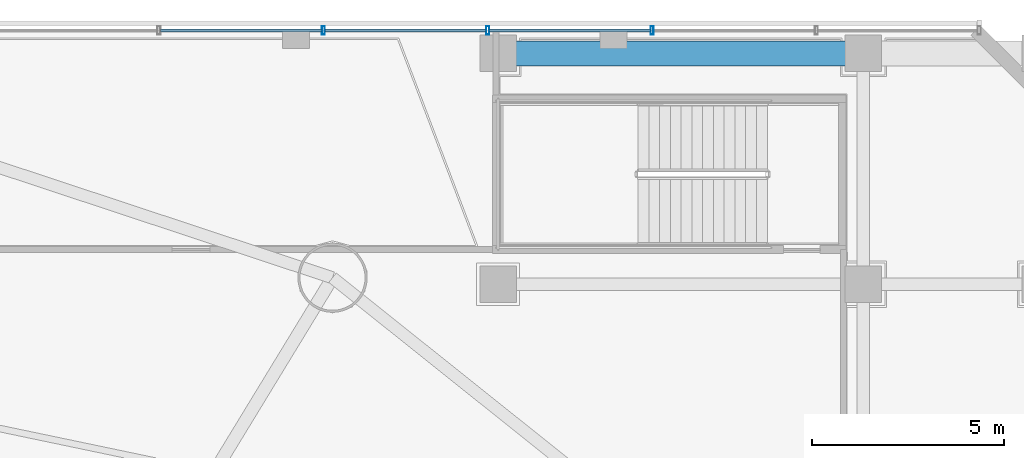
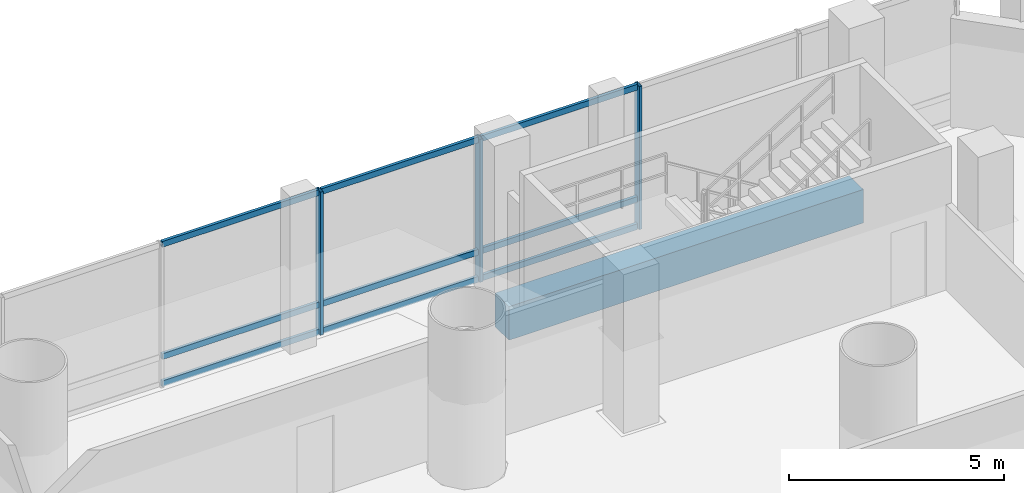
# One storey, part 15 of 36: 12 members, 1 beam, 1 element without a shape of its own.
"""IFC4 building model written with IfcOpenShell, lengths in metres."""

from ifc_helpers import new_model, si_unit, direction, frame, origin, origin_2d, place, context, subcontext, project, spatial, rectangle, hollow_rectangle, extrude, source, transform, mapped, material, material_profile, profile_set, type_object, element, aggregate, save


model = new_model("IFC4")

# Units and contexts
model_context = context("Model", 3, precision=1e-05, world=origin(), true_north=direction((-0.2419218956, 0.970295726276)))
body_context = subcontext(model_context, "Body", "Model", "MODEL_VIEW")
ifc_project = project(units=[si_unit("LENGTHUNIT", "METRE"), si_unit("AREAUNIT", "SQUARE_METRE"), si_unit("VOLUMEUNIT", "CUBIC_METRE"), si_unit("PLANEANGLEUNIT", "RADIAN"), si_unit("MASSUNIT", "GRAM", prefix="KILO")], contexts=[model_context])

# Site, building, storey
site_placement = place(None, origin())
site = spatial("IfcSite", under=ifc_project, at=site_placement, CompositionType="ELEMENT")
building_placement = place(site_placement, origin())
building = spatial("IfcBuilding", under=site, at=building_placement, Name="Cobrevalo Terracotta Tower", CompositionType="ELEMENT")
storey_placement = place(building_placement, frame((0.0, 0.0, 14.39990234375)))
storey = spatial("IfcBuildingStorey", under=building, at=storey_placement, Name="L03", CompositionType="ELEMENT", Elevation=14.39990234375)

# Beam
ifc_material_1 = material(Name="Concrete C50", Category="concrete")
ifc_material_profile_1 = material_profile(ifc_material_1, rectangle(XDim=0.64990234375, YDim=0.949951171875, at=origin_2d()), Name="RC BM 650x950")
ifc_profile_set_1 = profile_set([ifc_material_profile_1], Name="Concrete C50")
beam_type = type_object("IfcBeamType", Name="Structural Spandrel RC BM 650x950 (Concrete C50)", PredefinedType="SPANDREL", material=ifc_profile_set_1)
beam_placement = place(storey_placement, frame((57.5, 50.800048828125, -0.77490234375), z_axis=(1.0, 0.0, 0.0), x_axis=(0.0, 1.0, 0.0)))
element("IfcBeam", 1, at=beam_placement, inside=storey, type_object=beam_type, Name="L03 podium grid beam G7-GG to G8-GG", PredefinedType="SPANDREL", context=body_context, shape_type="SweptSolid", body=[
    extrude(rectangle(XDim=0.64990234375, YDim=0.949951171875, at=origin_2d()), origin(), (0.0, 0.0, 1.0), 9.5),
])

# Curtain wall, members
ifc_material_2 = material(Name="Anodized aluminium", Category="aluminium")
curtain_wall_type = type_object("IfcCurtainWallType", Name="Podium gallery & conservatory curtain wall CW-S2", PredefinedType="NOTDEFINED", material=ifc_material_2)
curtain_wall_placement = place(storey_placement, origin())
curtain_wall = element("IfcCurtainWall", 2, at=curtain_wall_placement, inside=storey, type_object=curtain_wall_type, Name="L03 curtain wall CW-POD-L03-N", PredefinedType="NOTDEFINED")
ifc_material_profile_2 = material_profile(ifc_material_2, hollow_rectangle(XDim=0.080078125, YDim=0.1650390625, WallThickness=0.00439453125, at=origin_2d()), Name="CWT 80x165")
ifc_profile_set_2 = profile_set([ifc_material_profile_2], Name="Anodized aluminium")
member_type_1 = type_object("IfcMemberType", Name="Storefront & atrium aluminium transom 80x165", PredefinedType="USERDEFINED", material=ifc_profile_set_2)
shared_shape_1 = source(origin(), body_context, "Body", "SweptSolid", [
    extrude(hollow_rectangle(XDim=0.080078125, YDim=0.1650390625, WallThickness=0.00439453125, at=origin_2d()), origin(), (0.0, 0.0, 1.0), 4.193359375),
])
member_1_placement = place(storey_placement, frame((61.46337890625, 51.39990234375, 0.050048828125), z_axis=(-1.0, 0.0, 0.0), x_axis=(0.0, -1.0, 0.0)))
member_1 = element("IfcMember", 3, at=member_1_placement, type_object=member_type_1, Name="CW-POD-L03-N transom B03-T1", ObjectType="TRANSOM", PredefinedType="USERDEFINED", context=body_context, shape_type="MappedRepresentation", body=[
    mapped(shared_shape_1, transform((0.0, 0.0, 0.0), scale=1.0)),
])
member_2_placement = place(storey_placement, frame((61.46337890625, 51.39990234375, 0.820068359375), z_axis=(-1.0, 0.0, 0.0), x_axis=(0.0, -1.0, 0.0)))
member_2 = element("IfcMember", 4, at=member_2_placement, type_object=member_type_1, Name="CW-POD-L03-N transom B03-T2", ObjectType="TRANSOM", PredefinedType="USERDEFINED", context=body_context, shape_type="MappedRepresentation", body=[
    mapped(shared_shape_1, transform((0.0, 0.0, 0.0), scale=1.0)),
])
member_3_placement = place(storey_placement, frame((61.46337890625, 51.39990234375, 4.0), z_axis=(-1.0, 0.0, 0.0), x_axis=(0.0, -1.0, 0.0)))
member_3 = element("IfcMember", 5, at=member_3_placement, type_object=member_type_1, Name="CW-POD-L03-N transom B03-T3", ObjectType="TRANSOM", PredefinedType="USERDEFINED", context=body_context, shape_type="MappedRepresentation", body=[
    mapped(shared_shape_1, transform((0.0, 0.0, 0.0), scale=1.0)),
])
member_4_placement = place(storey_placement, frame((57.18994140625, 51.39990234375, 0.050048828125), z_axis=(-1.0, 0.0, 0.0), x_axis=(0.0, -1.0, 0.0)))
member_4 = element("IfcMember", 6, at=member_4_placement, type_object=member_type_1, Name="CW-POD-L03-N transom B04-T1", ObjectType="TRANSOM", PredefinedType="USERDEFINED", context=body_context, shape_type="MappedRepresentation", body=[
    mapped(shared_shape_1, transform((0.0, 0.0, 0.0), scale=1.0)),
])
member_5_placement = place(storey_placement, frame((57.18994140625, 51.39990234375, 0.820068359375), z_axis=(-1.0, 0.0, 0.0), x_axis=(0.0, -1.0, 0.0)))
member_5 = element("IfcMember", 7, at=member_5_placement, type_object=member_type_1, Name="CW-POD-L03-N transom B04-T2", ObjectType="TRANSOM", PredefinedType="USERDEFINED", context=body_context, shape_type="MappedRepresentation", body=[
    mapped(shared_shape_1, transform((0.0, 0.0, 0.0), scale=1.0)),
])
member_6_placement = place(storey_placement, frame((57.18994140625, 51.39990234375, 4.0), z_axis=(-1.0, 0.0, 0.0), x_axis=(0.0, -1.0, 0.0)))
member_6 = element("IfcMember", 8, at=member_6_placement, type_object=member_type_1, Name="CW-POD-L03-N transom B04-T3", ObjectType="TRANSOM", PredefinedType="USERDEFINED", context=body_context, shape_type="MappedRepresentation", body=[
    mapped(shared_shape_1, transform((0.0, 0.0, 0.0), scale=1.0)),
])
member_7_placement = place(storey_placement, frame((52.916748046875, 51.39990234375, 0.050048828125), z_axis=(-1.0, 0.0, 0.0), x_axis=(0.0, -1.0, 0.0)))
member_7 = element("IfcMember", 9, at=member_7_placement, type_object=member_type_1, Name="CW-POD-L03-N transom B05-T1", ObjectType="TRANSOM", PredefinedType="USERDEFINED", context=body_context, shape_type="MappedRepresentation", body=[
    mapped(shared_shape_1, transform((0.0, 0.0, 0.0), scale=1.0)),
])
member_8_placement = place(storey_placement, frame((52.916748046875, 51.39990234375, 0.820068359375), z_axis=(-1.0, 0.0, 0.0), x_axis=(0.0, -1.0, 0.0)))
member_8 = element("IfcMember", 10, at=member_8_placement, type_object=member_type_1, Name="CW-POD-L03-N transom B05-T2", ObjectType="TRANSOM", PredefinedType="USERDEFINED", context=body_context, shape_type="MappedRepresentation", body=[
    mapped(shared_shape_1, transform((0.0, 0.0, 0.0), scale=1.0)),
])
member_9_placement = place(storey_placement, frame((52.916748046875, 51.39990234375, 4.0), z_axis=(-1.0, 0.0, 0.0), x_axis=(0.0, -1.0, 0.0)))
member_9 = element("IfcMember", 11, at=member_9_placement, type_object=member_type_1, Name="CW-POD-L03-N transom B05-T3", ObjectType="TRANSOM", PredefinedType="USERDEFINED", context=body_context, shape_type="MappedRepresentation", body=[
    mapped(shared_shape_1, transform((0.0, 0.0, 0.0), scale=1.0)),
])
ifc_material_profile_3 = material_profile(ifc_material_2, hollow_rectangle(XDim=0.080078125, YDim=0.219970703125, WallThickness=0.0048828125, at=origin_2d()), Name="CWM 80x220")
ifc_profile_set_3 = profile_set([ifc_material_profile_3], Name="Anodized aluminium")
member_type_2 = type_object("IfcMemberType", Name="Storefront & atrium aluminium mullion 80x220", PredefinedType="MULLION", material=ifc_profile_set_3)
shared_shape_2 = source(origin(), body_context, "Body", "SweptSolid", [
    extrude(hollow_rectangle(XDim=0.080078125, YDim=0.219970703125, WallThickness=0.0048828125, at=origin_2d()), origin(), (0.0, 0.0, 1.0), 4.050048828125),
])
member_10_placement = place(storey_placement, frame((61.50341796875, 51.39990234375, 0.0), z_axis=(0.0, 0.0, 1.0), x_axis=(-1.0, 0.0, 0.0)))
member_10 = element("IfcMember", 12, at=member_10_placement, type_object=member_type_2, Name="CW-POD-L03-N vertical mullion 03", PredefinedType="MULLION", context=body_context, shape_type="MappedRepresentation", body=[
    mapped(shared_shape_2, transform((0.0, 0.0, 0.0), scale=1.0)),
])
member_11_placement = place(storey_placement, frame((57.22998046875, 51.39990234375, 0.0), z_axis=(0.0, 0.0, 1.0), x_axis=(-1.0, 0.0, 0.0)))
member_11 = element("IfcMember", 13, at=member_11_placement, type_object=member_type_2, Name="CW-POD-L03-N vertical mullion 04", PredefinedType="MULLION", context=body_context, shape_type="MappedRepresentation", body=[
    mapped(shared_shape_2, transform((0.0, 0.0, 0.0), scale=1.0)),
])
member_12_placement = place(storey_placement, frame((52.956787109375, 51.39990234375, 0.0), z_axis=(0.0, 0.0, 1.0), x_axis=(-1.0, 0.0, 0.0)))
member_12 = element("IfcMember", 14, at=member_12_placement, type_object=member_type_2, Name="CW-POD-L03-N vertical mullion 05", PredefinedType="MULLION", context=body_context, shape_type="MappedRepresentation", body=[
    mapped(shared_shape_2, transform((0.0, 0.0, 0.0), scale=1.0)),
])
aggregate(curtain_wall, [member_10, member_11, member_12, member_1, member_2, member_3, member_4, member_5, member_6, member_7, member_8, member_9])

save(model, "model.ifc")
